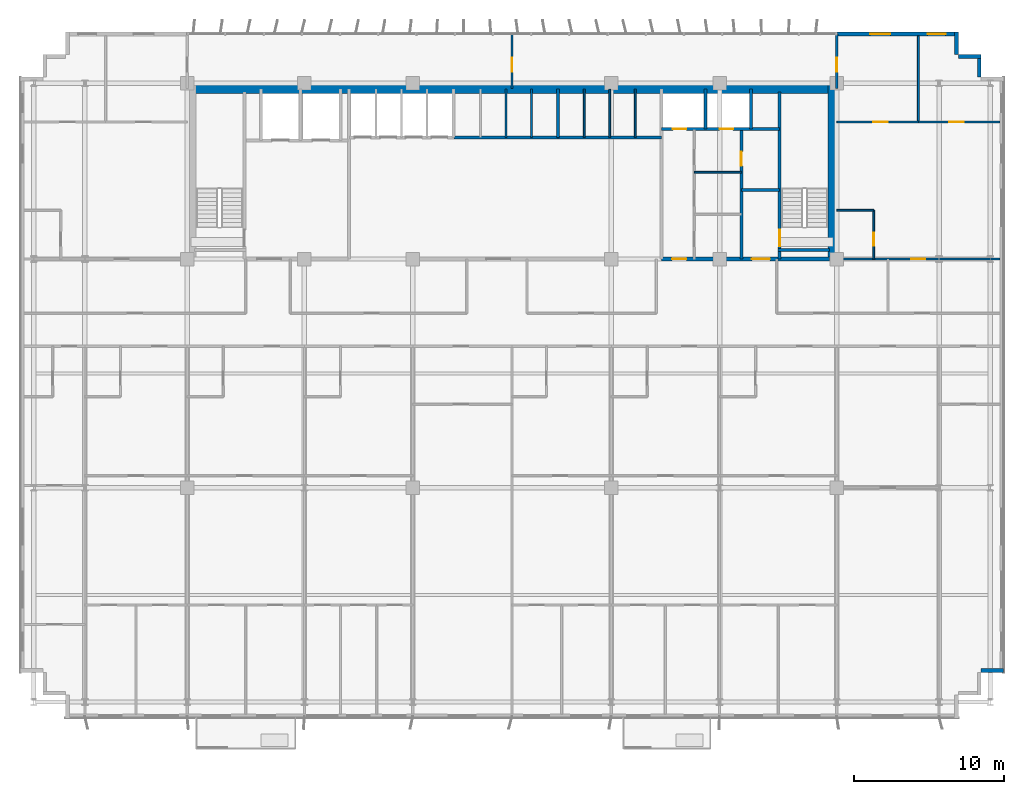
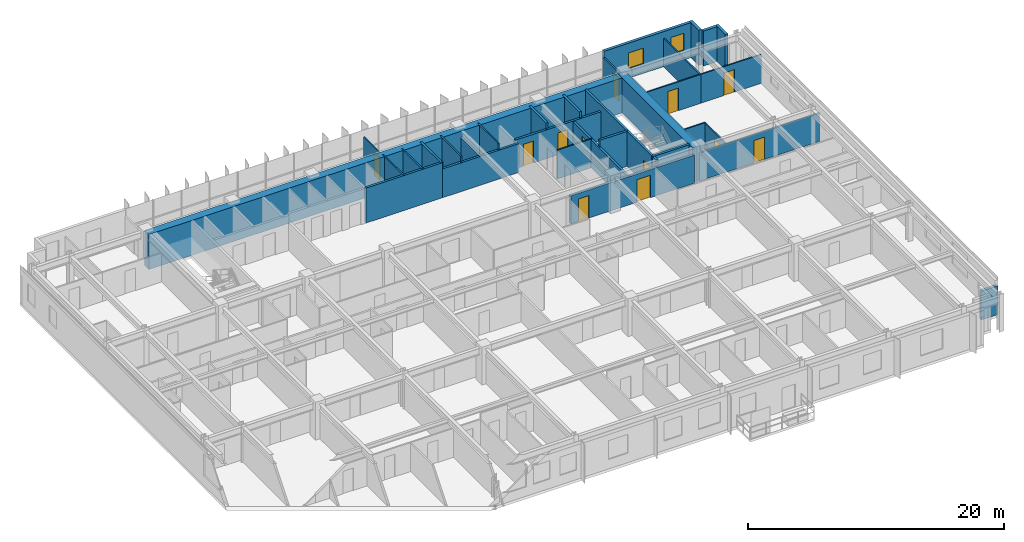
# One storey, part 20 of 24: 32 walls, 12 doors, 2 windows, 14 openings.
"""IFC4 building model written with IfcOpenShell, lengths in metres."""

from ifc_helpers import new_model, si_unit, direction, frame, frame_2d, origin, place, context, subcontext, project, spatial, rectangle, extrude, source, transform, mapped, material, layer, layer_set, type_object, element, fill, save


model = new_model("IFC4")

# Units and contexts
model_context = context("Model", 3, precision=1e-05, world=origin(), true_north=direction((0.0, 1.0)))
body_context = subcontext(model_context, "Body", "Model", "MODEL_VIEW")
ifc_project = project(units=[si_unit("LENGTHUNIT", "METRE"), si_unit("AREAUNIT", "SQUARE_METRE"), si_unit("VOLUMEUNIT", "CUBIC_METRE"), si_unit("PLANEANGLEUNIT", "RADIAN"), si_unit("MASSUNIT", "GRAM", prefix="KILO")], contexts=[model_context])

# Site, building, storey
site_placement = place(None, origin())
site = spatial("IfcSite", under=ifc_project, at=site_placement, CompositionType="ELEMENT")
building_placement = place(site_placement, origin())
building = spatial("IfcBuilding", under=site, at=building_placement, Name="Trelvane Seafront Commons", CompositionType="ELEMENT")
storey_placement = place(building_placement, frame((0.0, 0.0, 30.699951171875)))
storey = spatial("IfcBuildingStorey", under=building, at=storey_placement, Name="L07", CompositionType="ELEMENT", Elevation=30.699951171875)

# Wall, openings, windows
ifc_material_1 = material(Name="Precast concrete C40/50", Category="concrete")
ifc_layer_1 = layer(ifc_material_1, 0.260009765625, Name="ARCH-WALL-EXT260")
ifc_layer_set_1 = layer_set([ifc_layer_1], Name="Precast concrete C40/50")
wall_type_1 = type_object("IfcWallType", Name="ARCH-WALL-EXT260", PredefinedType="SOLIDWALL", material=ifc_layer_set_1)
wall_1_placement = place(storey_placement, frame((58.800048828125, 48.3701171875, 0.0), z_axis=(0.0, 0.0, 1.0), x_axis=(1.0, 0.0, 0.0)))
wall_1 = element("IfcWall", 1, at=wall_1_placement, inside=storey, type_object=wall_type_1, Name="EW-L07-NE-0088", PredefinedType="SOLIDWALL", context=body_context, shape_type="SweptSolid", body=[
    extrude(rectangle(XDim=8.0, YDim=0.260009765625, at=frame_2d((4.0, 0.0))), origin(), (0.0, 0.0, 1.0), 3.340087890625),
])
opening_1_placement = place(wall_1_placement, frame((2.208984375, 0.0, 0.89990234375)))
opening_1 = element("IfcOpeningElement", 2, at=opening_1_placement, cuts=wall_1, Name="Opening W09", PredefinedType="OPENING", context=body_context, shape_type="SweptSolid", body=[
    extrude(rectangle(XDim=1.35009765625, YDim=1.5, at=frame_2d((0.675048828125, 0.75))), frame((0.0, 0.139892578125, 0.0), z_axis=(0.0, -1.0, 0.0), x_axis=(1.0, 0.0, 0.0)), (0.0, 0.0, 1.0), 0.280029296875),
])
opening_2_placement = place(wall_1_placement, frame((6.032958984375, 0.0, 0.89990234375)))
opening_2 = element("IfcOpeningElement", 3, at=opening_2_placement, cuts=wall_1, Name="Opening W05", PredefinedType="OPENING", context=body_context, shape_type="SweptSolid", body=[
    extrude(rectangle(XDim=1.199951171875, YDim=1.64990234375, at=frame_2d((0.60009765625, 0.824951171875))), frame((0.0, 0.139892578125, 0.0), z_axis=(0.0, -1.0, 0.0), x_axis=(1.0, 0.0, 0.0)), (0.0, 0.0, 1.0), 0.280029296875),
])
ifc_material_2 = material(Name="Low-E coastal double glazing", Category="glass")
window_type_1 = type_object("IfcWindowType", Name="ARCH-WIN-W09", PartitioningType="SINGLE_PANEL", PredefinedType="WINDOW", material=ifc_material_2)
shared_shape_1 = source(origin(), body_context, "Body", "SweptSolid", [
    extrude(rectangle(XDim=1.35009765625, YDim=1.5, at=frame_2d((0.675048828125, 0.75))), frame((0.0, 0.030029296875, 0.0), z_axis=(0.0, -1.0, 0.0), x_axis=(1.0, 0.0, 0.0)), (0.0, 0.0, 1.0), 0.06005859375),
])
window_1_placement = place(opening_1_placement, origin())
window_1 = element("IfcWindow", 4, at=window_1_placement, inside=storey, type_object=window_type_1, Name="WIN-L07-00130", OverallHeight=1.5, OverallWidth=1.35009765625, PartitioningType="SINGLE_PANEL", PredefinedType="WINDOW", context=body_context, shape_type="MappedRepresentation", body=[
    mapped(shared_shape_1, transform((0.0, 0.0, 0.0), x_axis=(1.0, 0.0, 0.0), y_axis=(0.0, 1.0, 0.0), z_axis=(0.0, 0.0, 1.0), scale=1.0)),
])
fill(opening_1, window_1)
window_type_2 = type_object("IfcWindowType", Name="ARCH-WIN-W05", PartitioningType="SINGLE_PANEL", PredefinedType="WINDOW", material=ifc_material_2)
shared_shape_2 = source(origin(), body_context, "Body", "SweptSolid", [
    extrude(rectangle(XDim=1.199951171875, YDim=1.64990234375, at=frame_2d((0.60009765625, 0.824951171875))), frame((0.0, 0.030029296875, 0.0), z_axis=(0.0, -1.0, 0.0), x_axis=(1.0, 0.0, 0.0)), (0.0, 0.0, 1.0), 0.06005859375),
])
window_2_placement = place(opening_2_placement, origin())
window_2 = element("IfcWindow", 5, at=window_2_placement, inside=storey, type_object=window_type_2, Name="WIN-L07-00131", OverallHeight=1.64990234375, OverallWidth=1.199951171875, PartitioningType="SINGLE_PANEL", PredefinedType="WINDOW", context=body_context, shape_type="MappedRepresentation", body=[
    mapped(shared_shape_2, transform((0.0, 0.0, 0.0), x_axis=(1.0, 0.0, 0.0), y_axis=(0.0, 1.0, 0.0), z_axis=(0.0, 0.0, 1.0), scale=1.0)),
])
fill(opening_2, window_2)

# Walls
for number, where, z_axis, x_axis, name in (
    (6, (66.77001953125, 48.5, 0.0), (0.0, 0.0, 1.0), (0.0, -1.0, 0.0), "EW-L07-00097"),
    (7, (66.89990234375, 46.8701171875, 0.0), (0.0, 0.0, 1.0), (1.0, 0.0, 0.0), "EW-L07-00098"),
    (8, (68.27001953125, 47.0, 0.0), (0.0, 0.0, 1.0), (0.0, -1.0, 0.0), "EW-L07-00099"),
):
    element("IfcWall", number, at=place(storey_placement, frame(where, z_axis=z_axis, x_axis=x_axis)), inside=storey, type_object=wall_type_1, Name=name, PredefinedType="SOLIDWALL", context=body_context, shape_type="SweptSolid", body=[
        extrude(rectangle(XDim=1.5, YDim=0.260009765625, at=frame_2d((0.75, 0.0))), origin(), (0.0, 0.0, 1.0), 3.340087890625),
    ])
wall_2_placement = place(storey_placement, frame((69.89990234375, 6.030029296875, 0.0), z_axis=(0.0, 0.0, 1.0), x_axis=(-1.0, 0.0, 0.0)))
element("IfcWall", 9, at=wall_2_placement, inside=storey, type_object=wall_type_1, Name="EW-L07-00102", PredefinedType="SOLIDWALL", context=body_context, shape_type="SweptSolid", body=[
    extrude(rectangle(XDim=1.5, YDim=0.260009765625, at=frame_2d((0.75, 0.0))), origin(), (0.0, 0.0, 1.0), 2.751953125),
])

# Wall, opening, door
ifc_material_3 = material(Name="Concrete C40/50", Category="concrete")
ifc_layer_2 = layer(ifc_material_3, 0.199951171875, Name="ARCH-WALL-FIRE200")
ifc_layer_set_2 = layer_set([ifc_layer_2], Name="Concrete C40/50")
wall_type_2 = type_object("IfcWallType", Name="ARCH-WALL-FIRE200", PredefinedType="PARTITIONING", material=ifc_layer_set_2)
wall_3_placement = place(storey_placement, frame((52.449951171875, 33.39990234375, 0.0), z_axis=(0.0, 0.0, 1.0), x_axis=(0.0, 1.0, 0.0)))
wall_3 = element("IfcWall", 10, at=wall_3_placement, inside=storey, type_object=wall_type_2, Name="W-L07-ST2V-W-033", PredefinedType="PARTITIONING", context=body_context, shape_type="SweptSolid", body=[
    extrude(rectangle(XDim=8.650146484375, YDim=0.199951171875, at=frame_2d((4.3251953125, 0.0))), origin(), (0.0, 0.0, 1.0), 2.68994140625),
])
opening_3_placement = place(wall_3_placement, frame((6.199951171875, 0.0, 0.0)))
opening_3 = element("IfcOpeningElement", 11, at=opening_3_placement, cuts=wall_3, Name="Opening FD-L07-13", PredefinedType="OPENING", context=body_context, shape_type="SweptSolid", body=[
    extrude(rectangle(XDim=0.949951171875, YDim=2.14990234375, at=frame_2d((0.47509765625, 1.074951171875))), frame((0.0, 0.10986328125, 0.0), z_axis=(0.0, -1.0, 0.0), x_axis=(1.0, 0.0, 0.0)), (0.0, 0.0, 1.0), 0.219970703125),
])
ifc_material_4 = material(Name="Powder-coated aluminium frame", Category="aluminium")
door_type_1 = type_object("IfcDoorType", Name="ARCH-DR-FD60-950", OperationType="NOTDEFINED", PredefinedType="DOOR", material=ifc_material_4)
shared_shape_3 = source(origin(), body_context, "Body", "SweptSolid", [
    extrude(rectangle(XDim=0.949951171875, YDim=2.14990234375, at=frame_2d((0.47509765625, 1.074951171875))), frame((0.0, 0.02490234375, 0.0), z_axis=(0.0, -1.0, 0.0), x_axis=(1.0, 0.0, 0.0)), (0.0, 0.0, 1.0), 0.050048828125),
])
door_1_placement = place(opening_3_placement, origin())
door_1 = element("IfcDoor", 12, at=door_1_placement, inside=storey, type_object=door_type_1, Name="L07 Cleaner Store Door", OperationType="SINGLE_SWING_LEFT", OverallHeight=2.14990234375, OverallWidth=0.949951171875, PredefinedType="DOOR", context=body_context, shape_type="MappedRepresentation", body=[
    mapped(shared_shape_3, transform((0.0, 0.0, 0.0), x_axis=(1.0, 0.0, 0.0), y_axis=(0.0, 1.0, 0.0), z_axis=(0.0, 0.0, 1.0), scale=1.0)),
])
fill(opening_3, door_1)

# Wall
wall_4_placement = place(storey_placement, frame((52.449951171875, 38.0, 0.0), z_axis=(0.0, 0.0, 1.0), x_axis=(1.0, 0.0, 0.0)))
element("IfcWall", 13, at=wall_4_placement, inside=storey, type_object=wall_type_2, Name="W-L07-ST2V-N-034", PredefinedType="PARTITIONING", context=body_context, shape_type="SweptSolid", body=[
    extrude(rectangle(XDim=2.550048828125, YDim=0.199951171875, at=frame_2d((1.27490234375, 0.0))), origin(), (0.0, 0.0, 1.0), 3.340087890625),
])

# Wall, openings, doors
ifc_layer_3 = layer(ifc_material_3, 0.25, Name="ARCH-WALL-FIRE250")
ifc_layer_set_3 = layer_set([ifc_layer_3], Name="Concrete C40/50")
wall_type_3 = type_object("IfcWallType", Name="ARCH-WALL-FIRE250", PredefinedType="PARTITIONING", material=ifc_layer_set_3)
wall_5_placement = place(storey_placement, frame((47.14990234375, 33.39990234375, 0.0), z_axis=(0.0, 0.0, 1.0), x_axis=(1.0, 0.0, 0.0)))
wall_5 = element("IfcWall", 14, at=wall_5_placement, inside=storey, type_object=wall_type_3, Name="W-L07-CS-EAST-038", PredefinedType="PARTITIONING", context=body_context, shape_type="SweptSolid", body=[
    extrude(rectangle(XDim=11.150146484375, YDim=0.25, at=frame_2d((5.5751953125, 0.0))), origin(), (0.0, 0.0, 1.0), 2.68994140625),
])
opening_4_placement = place(wall_5_placement, frame((0.699951171875, 0.0, 0.0)))
opening_4 = element("IfcOpeningElement", 15, at=opening_4_placement, cuts=wall_5, Name="Opening FD-L07-17", PredefinedType="OPENING", context=body_context, shape_type="SweptSolid", body=[
    extrude(rectangle(XDim=0.949951171875, YDim=2.14990234375, at=frame_2d((0.47509765625, 1.074951171875))), frame((0.0, 0.135009765625, 0.0), z_axis=(0.0, -1.0, 0.0), x_axis=(1.0, 0.0, 0.0)), (0.0, 0.0, 1.0), 0.27001953125),
])
opening_5_placement = place(wall_5_placement, frame((6.0, 0.0, 0.0)))
opening_5 = element("IfcOpeningElement", 16, at=opening_5_placement, cuts=wall_5, Name="Opening FD-L07-18", PredefinedType="OPENING", context=body_context, shape_type="SweptSolid", body=[
    extrude(rectangle(XDim=1.199951171875, YDim=2.14990234375, at=frame_2d((0.60009765625, 1.074951171875))), frame((0.0, 0.135009765625, 0.0), z_axis=(0.0, -1.0, 0.0), x_axis=(1.0, 0.0, 0.0)), (0.0, 0.0, 1.0), 0.27001953125),
])
door_2_placement = place(opening_4_placement, origin())
door_2 = element("IfcDoor", 17, at=door_2_placement, inside=storey, type_object=door_type_1, Name="L07 Core Service Lobby Door", OperationType="SINGLE_SWING_LEFT", OverallHeight=2.14990234375, OverallWidth=0.949951171875, PredefinedType="DOOR", context=body_context, shape_type="MappedRepresentation", body=[
    mapped(shared_shape_3, transform((0.0, 0.0, 0.0), x_axis=(1.0, 0.0, 0.0), y_axis=(0.0, 1.0, 0.0), z_axis=(0.0, 0.0, 1.0), scale=1.0)),
])
fill(opening_4, door_2)
door_type_2 = type_object("IfcDoorType", Name="ARCH-DR-FD60-1200", OperationType="NOTDEFINED", PredefinedType="DOOR", material=ifc_material_4)
shared_shape_4 = source(origin(), body_context, "Body", "SweptSolid", [
    extrude(rectangle(XDim=1.199951171875, YDim=2.14990234375, at=frame_2d((0.60009765625, 1.074951171875))), frame((0.0, 0.02490234375, 0.0), z_axis=(0.0, -1.0, 0.0), x_axis=(1.0, 0.0, 0.0)), (0.0, 0.0, 1.0), 0.050048828125),
])
door_3_placement = place(opening_5_placement, origin())
door_3 = element("IfcDoor", 18, at=door_3_placement, inside=storey, type_object=door_type_2, Name="L07 East Stair Vestibule Fire Door", OperationType="SINGLE_SWING_RIGHT", OverallHeight=2.14990234375, OverallWidth=1.199951171875, PredefinedType="DOOR", context=body_context, shape_type="MappedRepresentation", body=[
    mapped(shared_shape_4, transform((0.0, 0.0, 0.0), x_axis=(1.0, 0.0, 0.0), y_axis=(0.0, 1.0, 0.0), z_axis=(0.0, 0.0, 1.0), scale=1.0)),
])
fill(opening_5, door_3)

# Walls
ifc_material_5 = material(Name="Gypsum Drywall Acoustic Partition")
ifc_layer_4 = layer(ifc_material_5, 0.1201171875, Name="ARCH-WALL-PART120")
ifc_layer_set_4 = layer_set([ifc_layer_4], Name="Gypsum Drywall Acoustic Partition")
wall_type_4 = type_object("IfcWallType", Name="ARCH-WALL-PART120", PredefinedType="PARTITIONING", material=ifc_layer_set_4)
for number, where, z_axis, x_axis, name in (
    (19, (36.800048828125, 41.5, 0.0), (0.0, 0.0, 1.0), (0.0, 1.0, 0.0), "W-L07-PM-DIV2-021"),
    (20, (38.5, 41.5, 0.0), (0.0, 0.0, 1.0), (0.0, 1.0, 0.0), "W-L07-PM-DIV3-022"),
    (21, (42.0, 41.5, 0.0), (0.0, 0.0, 1.0), (0.0, 1.0, 0.0), "W-L07-PH-DIV1-025"),
):
    element("IfcWall", number, at=place(storey_placement, frame(where, z_axis=z_axis, x_axis=x_axis)), inside=storey, type_object=wall_type_4, Name=name, PredefinedType="PARTITIONING", context=body_context, shape_type="SweptSolid", body=[
        extrude(rectangle(XDim=3.199951171875, YDim=0.1201171875, at=frame_2d((1.60009765625, 0.0))), origin(), (0.0, 0.0, 1.0), 3.340087890625),
    ])
wall_6_placement = place(storey_placement, frame((43.699951171875, 41.5, 0.0), z_axis=(0.0, 0.0, 1.0), x_axis=(0.0, 1.0, 0.0)))
element("IfcWall", 22, at=wall_6_placement, inside=storey, type_object=wall_type_4, Name="W-L07-PH-DIV2-026", PredefinedType="PARTITIONING", context=body_context, shape_type="SweptSolid", body=[
    extrude(rectangle(XDim=3.199951171875, YDim=0.1201171875, at=frame_2d((1.60009765625, 0.0))), origin(), (0.0, 0.0, 1.0), 2.751953125),
])
wall_7_placement = place(storey_placement, frame((45.39990234375, 41.5, 0.0), z_axis=(0.0, 0.0, 1.0), x_axis=(0.0, 1.0, 0.0)))
element("IfcWall", 23, at=wall_7_placement, inside=storey, type_object=wall_type_4, Name="W-L07-PH-DIV3-027", PredefinedType="PARTITIONING", context=body_context, shape_type="SweptSolid", body=[
    extrude(rectangle(XDim=3.199951171875, YDim=0.1201171875, at=frame_2d((1.60009765625, 0.0))), origin(), (0.0, 0.0, 1.0), 3.340087890625),
])
wall_8_placement = place(storey_placement, frame((49.320068359375, 39.179931640625, 0.0), z_axis=(0.0, 0.0, 1.0), x_axis=(1.0, 0.0, 0.0)))
element("IfcWall", 24, at=wall_8_placement, inside=storey, type_object=wall_type_4, Name="W-L07-CYC3-H2-037", PredefinedType="PARTITIONING", context=body_context, shape_type="SweptSolid", body=[
    extrude(rectangle(XDim=3.1298828125, YDim=0.1201171875, at=frame_2d((1.56494140625, 0.0))), origin(), (0.0, 0.0, 1.0), 2.751953125),
])

# Wall, opening, door
wall_9_placement = place(storey_placement, frame((61.25, 33.39990234375, 0.0), z_axis=(0.0, 0.0, 1.0), x_axis=(0.0, 1.0, 0.0)))
wall_9 = element("IfcWall", 25, at=wall_9_placement, inside=storey, type_object=wall_type_4, Name="W-L07-NE-BE-056", PredefinedType="PARTITIONING", context=body_context, shape_type="SweptSolid", body=[
    extrude(rectangle(XDim=3.25, YDim=0.1201171875, at=frame_2d((1.625, 0.0))), origin(), (0.0, 0.0, 1.0), 2.68994140625),
])
opening_6_placement = place(wall_9_placement, frame((0.89990234375, 0.0, 0.0)))
opening_6 = element("IfcOpeningElement", 26, at=opening_6_placement, cuts=wall_9, Name="Opening D-L07-28", PredefinedType="OPENING", context=body_context, shape_type="SweptSolid", body=[
    extrude(rectangle(XDim=0.85009765625, YDim=2.10009765625, at=frame_2d((0.425048828125, 1.050048828125))), frame((0.0, 0.070068359375, 0.0), z_axis=(0.0, -1.0, 0.0), x_axis=(1.0, 0.0, 0.0)), (0.0, 0.0, 1.0), 0.14013671875),
])
ifc_material_6 = material(Name="Acoustic timber door leaf", Category="wood")
door_type_3 = type_object("IfcDoorType", Name="ARCH-DR-INT850", OperationType="NOTDEFINED", PredefinedType="DOOR", material=ifc_material_6)
shared_shape_5 = source(origin(), body_context, "Body", "SweptSolid", [
    extrude(rectangle(XDim=0.85009765625, YDim=2.10009765625, at=frame_2d((0.425048828125, 1.050048828125))), frame((0.0, 0.02490234375, 0.0), z_axis=(0.0, -1.0, 0.0), x_axis=(1.0, 0.0, 0.0)), (0.0, 0.0, 1.0), 0.050048828125),
])
door_4_placement = place(opening_6_placement, origin())
door_4 = element("IfcDoor", 27, at=door_4_placement, inside=storey, type_object=door_type_3, Name="L07 Door 28", OperationType="SINGLE_SWING_RIGHT", OverallHeight=2.10009765625, OverallWidth=0.85009765625, PredefinedType="DOOR", context=body_context, shape_type="MappedRepresentation", body=[
    mapped(shared_shape_5, transform((0.0, 0.0, 0.0), x_axis=(1.0, 0.0, 0.0), y_axis=(0.0, 1.0, 0.0), z_axis=(0.0, 0.0, 1.0), scale=1.0)),
])
fill(opening_6, door_4)

# Wall
wall_10_placement = place(storey_placement, frame((58.800048828125, 36.64990234375, 0.0), z_axis=(0.0, 0.0, 1.0), x_axis=(1.0, 0.0, 0.0)))
element("IfcWall", 28, at=wall_10_placement, inside=storey, type_object=wall_type_4, Name="W-L07-NE-BN-057", PredefinedType="PARTITIONING", context=body_context, shape_type="SweptSolid", body=[
    extrude(rectangle(XDim=2.449951171875, YDim=0.1201171875, at=frame_2d((1.22509765625, 0.0))), origin(), (0.0, 0.0, 1.0), 2.751953125),
])

# Wall, opening, door
wall_11_placement = place(storey_placement, frame((58.800048828125, 42.52001953125, 0.0), z_axis=(0.0, 0.0, 1.0), x_axis=(1.0, 0.0, 0.0)))
wall_11 = element("IfcWall", 29, at=wall_11_placement, inside=storey, type_object=wall_type_4, Name="W-L07-NE-KB1-058", PredefinedType="PARTITIONING", context=body_context, shape_type="SweptSolid", body=[
    extrude(rectangle(XDim=5.425048828125, YDim=0.1201171875, at=frame_2d((2.71240234375, 0.0))), origin(), (0.0, 0.0, 1.0), 2.751953125),
])
opening_7_placement = place(wall_11_placement, frame((2.423095703125, 0.0, 0.0)))
opening_7 = element("IfcOpeningElement", 30, at=opening_7_placement, cuts=wall_11, Name="Opening D-L07-29", PredefinedType="OPENING", context=body_context, shape_type="SweptSolid", body=[
    extrude(rectangle(XDim=0.949951171875, YDim=2.14990234375, at=frame_2d((0.47509765625, 1.074951171875))), frame((0.0, 0.070068359375, 0.0), z_axis=(0.0, -1.0, 0.0), x_axis=(1.0, 0.0, 0.0)), (0.0, 0.0, 1.0), 0.14013671875),
])
door_type_4 = type_object("IfcDoorType", Name="ARCH-DR-INT950", OperationType="NOTDEFINED", PredefinedType="DOOR", material=ifc_material_6)
door_5_placement = place(opening_7_placement, origin())
door_5 = element("IfcDoor", 31, at=door_5_placement, inside=storey, type_object=door_type_4, Name="L07 Door 29", OperationType="SINGLE_SWING_LEFT", OverallHeight=2.14990234375, OverallWidth=0.949951171875, PredefinedType="DOOR", context=body_context, shape_type="MappedRepresentation", body=[
    mapped(shared_shape_3, transform((0.0, 0.0, 0.0), x_axis=(1.0, 0.0, 0.0), y_axis=(0.0, 1.0, 0.0), z_axis=(0.0, 0.0, 1.0), scale=1.0)),
])
fill(opening_7, door_5)

wall_12_placement = place(storey_placement, frame((64.22509765625, 42.52001953125, 0.0), z_axis=(0.0, 0.0, 1.0), x_axis=(1.0, 0.0, 0.0)))
wall_12 = element("IfcWall", 32, at=wall_12_placement, inside=storey, type_object=wall_type_4, Name="W-L07-NE-KB2-059", PredefinedType="PARTITIONING", context=body_context, shape_type="SweptSolid", body=[
    extrude(rectangle(XDim=5.4248046875, YDim=0.1201171875, at=frame_2d((2.71240234375, 0.0))), origin(), (0.0, 0.0, 1.0), 2.751953125),
])
opening_8_placement = place(wall_12_placement, frame((2.052001953125, 0.0, 0.0)))
opening_8 = element("IfcOpeningElement", 33, at=opening_8_placement, cuts=wall_12, Name="Opening D-L07-30", PredefinedType="OPENING", context=body_context, shape_type="SweptSolid", body=[
    extrude(rectangle(XDim=0.949951171875, YDim=2.14990234375, at=frame_2d((0.47509765625, 1.074951171875))), frame((0.0, 0.070068359375, 0.0), z_axis=(0.0, -1.0, 0.0), x_axis=(1.0, 0.0, 0.0)), (0.0, 0.0, 1.0), 0.14013671875),
])
door_6_placement = place(opening_8_placement, origin())
door_6 = element("IfcDoor", 34, at=door_6_placement, inside=storey, type_object=door_type_4, Name="L07 Door 30", OperationType="SINGLE_SWING_RIGHT", OverallHeight=2.14990234375, OverallWidth=0.949951171875, PredefinedType="DOOR", context=body_context, shape_type="MappedRepresentation", body=[
    mapped(shared_shape_3, transform((0.0, 0.0, 0.0), x_axis=(1.0, 0.0, 0.0), y_axis=(0.0, 1.0, 0.0), z_axis=(0.0, 0.0, 1.0), scale=1.0)),
])
fill(opening_8, door_6)

# Wall
wall_13_placement = place(storey_placement, frame((64.22509765625, 42.52001953125, 0.0), z_axis=(0.0, 0.0, 1.0), x_axis=(0.0, 1.0, 0.0)))
element("IfcWall", 35, at=wall_13_placement, inside=storey, type_object=wall_type_4, Name="W-L07-NE-KBDV-060", PredefinedType="PARTITIONING", context=body_context, shape_type="SweptSolid", body=[
    extrude(rectangle(XDim=5.719970703125, YDim=0.1201171875, at=frame_2d((2.85986328125, 0.0))), origin(), (0.0, 0.0, 1.0), 2.68994140625),
])

# Wall, opening, door
wall_14_placement = place(storey_placement, frame((37.199951171875, 44.75, 0.0), z_axis=(0.0, 0.0, 1.0), x_axis=(0.0, 1.0, 0.0)))
wall_14 = element("IfcWall", 36, at=wall_14_placement, inside=storey, type_object=wall_type_4, Name="W-L07-N-MID-DV-062", PredefinedType="PARTITIONING", context=body_context, shape_type="SweptSolid", body=[
    extrude(rectangle(XDim=3.610107421875, YDim=0.1201171875, at=frame_2d((1.80517578125, 0.0))), origin(), (0.0, 0.0, 1.0), 2.68994140625),
])
opening_9_placement = place(wall_14_placement, frame((1.10009765625, 0.0, 0.0)))
opening_9 = element("IfcOpeningElement", 37, at=opening_9_placement, cuts=wall_14, Name="Opening D-L07-32", PredefinedType="OPENING", context=body_context, shape_type="SweptSolid", body=[
    extrude(rectangle(XDim=0.949951171875, YDim=2.14990234375, at=frame_2d((0.47509765625, 1.074951171875))), frame((0.0, 0.070068359375, 0.0), z_axis=(0.0, -1.0, 0.0), x_axis=(1.0, 0.0, 0.0)), (0.0, 0.0, 1.0), 0.14013671875),
])
door_7_placement = place(opening_9_placement, origin())
door_7 = element("IfcDoor", 38, at=door_7_placement, inside=storey, type_object=door_type_4, Name="L07 Door 32", OperationType="SINGLE_SWING_RIGHT", OverallHeight=2.14990234375, OverallWidth=0.949951171875, PredefinedType="DOOR", context=body_context, shape_type="MappedRepresentation", body=[
    mapped(shared_shape_3, transform((0.0, 0.0, 0.0), x_axis=(1.0, 0.0, 0.0), y_axis=(0.0, 1.0, 0.0), z_axis=(0.0, 0.0, 1.0), scale=1.0)),
])
fill(opening_9, door_7)

ifc_layer_5 = layer(ifc_material_5, 0.14990234375, Name="ARCH-WALL-PART150")
ifc_layer_set_5 = layer_set([ifc_layer_5], Name="Gypsum Drywall Acoustic Partition")
wall_type_5 = type_object("IfcWallType", Name="ARCH-WALL-PART150", PredefinedType="PARTITIONING", material=ifc_layer_set_5)
wall_15_placement = place(storey_placement, frame((58.800048828125, 33.39990234375, 0.0), z_axis=(0.0, 0.0, 1.0), x_axis=(1.0, 0.0, 0.0)))
wall_15 = element("IfcWall", 39, at=wall_15_placement, inside=storey, type_object=wall_type_5, Name="W-L07-NE-ENT-061", PredefinedType="PARTITIONING", context=body_context, shape_type="SweptSolid", body=[
    extrude(rectangle(XDim=10.849853515625, YDim=0.14990234375, at=frame_2d((5.4248046875, 0.0))), origin(), (0.0, 0.0, 1.0), 2.68994140625),
])
opening_10_placement = place(wall_15_placement, frame((4.93310546875, 0.0, 0.0)))
opening_10 = element("IfcOpeningElement", 40, at=opening_10_placement, cuts=wall_15, Name="Opening FD-L07-31", PredefinedType="OPENING", context=body_context, shape_type="SweptSolid", body=[
    extrude(rectangle(XDim=0.949951171875, YDim=2.14990234375, at=frame_2d((0.47509765625, 1.074951171875))), frame((0.0, 0.0849609375, 0.0), z_axis=(0.0, -1.0, 0.0), x_axis=(1.0, 0.0, 0.0)), (0.0, 0.0, 1.0), 0.169921875),
])
door_8_placement = place(opening_10_placement, origin())
door_8 = element("IfcDoor", 41, at=door_8_placement, inside=storey, type_object=door_type_1, Name="L07 NE Flat Entrance Door", OperationType="SINGLE_SWING_LEFT", OverallHeight=2.14990234375, OverallWidth=0.949951171875, PredefinedType="DOOR", context=body_context, shape_type="MappedRepresentation", body=[
    mapped(shared_shape_3, transform((0.0, 0.0, 0.0), x_axis=(1.0, 0.0, 0.0), y_axis=(0.0, 1.0, 0.0), z_axis=(0.0, 0.0, 1.0), scale=1.0)),
])
fill(opening_10, door_8)

wall_16_placement = place(storey_placement, frame((58.800048828125, 44.75, 0.0), z_axis=(0.0, 0.0, 1.0), x_axis=(0.0, 1.0, 0.0)))
wall_16 = element("IfcWall", 42, at=wall_16_placement, inside=storey, type_object=wall_type_5, Name="W-L07-N-LINK-E-064", PredefinedType="PARTITIONING", context=body_context, shape_type="SweptSolid", body=[
    extrude(rectangle(XDim=3.610107421875, YDim=0.14990234375, at=frame_2d((1.80517578125, 0.0))), origin(), (0.0, 0.0, 1.0), 2.751953125),
])
opening_11_placement = place(wall_16_placement, frame((1.10009765625, 0.0, 0.0)))
opening_11 = element("IfcOpeningElement", 43, at=opening_11_placement, cuts=wall_16, Name="Opening FD-L07-34", PredefinedType="OPENING", context=body_context, shape_type="SweptSolid", body=[
    extrude(rectangle(XDim=0.949951171875, YDim=2.14990234375, at=frame_2d((0.47509765625, 1.074951171875))), frame((0.0, 0.0849609375, 0.0), z_axis=(0.0, -1.0, 0.0), x_axis=(1.0, 0.0, 0.0)), (0.0, 0.0, 1.0), 0.169921875),
])
door_9_placement = place(opening_11_placement, origin())
door_9 = element("IfcDoor", 44, at=door_9_placement, inside=storey, type_object=door_type_1, Name="L07 Door 34", OperationType="SINGLE_SWING_RIGHT", OverallHeight=2.14990234375, OverallWidth=0.949951171875, PredefinedType="DOOR", context=body_context, shape_type="MappedRepresentation", body=[
    mapped(shared_shape_3, transform((0.0, 0.0, 0.0), x_axis=(1.0, 0.0, 0.0), y_axis=(0.0, 1.0, 0.0), z_axis=(0.0, 0.0, 1.0), scale=1.0)),
])
fill(opening_11, door_9)

# Walls
ifc_layer_6 = layer(ifc_material_3, 0.199951171875, Name="ARCH-WALL-SHAFT200")
ifc_layer_set_6 = layer_set([ifc_layer_6], Name="Concrete C40/50")
wall_type_6 = type_object("IfcWallType", Name="ARCH-WALL-SHAFT200", PredefinedType="SOLIDWALL", material=ifc_layer_set_6)
wall_17_placement = place(storey_placement, frame((33.35009765625, 41.5, 0.0), z_axis=(0.0, 0.0, 1.0), x_axis=(1.0, 0.0, 0.0)))
element("IfcWall", 45, at=wall_17_placement, inside=storey, type_object=wall_type_6, Name="W-L07-PM-FRONT-019", PredefinedType="SOLIDWALL", context=body_context, shape_type="SweptSolid", body=[
    extrude(rectangle(XDim=6.89990234375, YDim=0.199951171875, at=frame_2d((3.449951171875, 0.0))), origin(), (0.0, 0.0, 1.0), 3.340087890625),
])
wall_18_placement = place(storey_placement, frame((40.25, 41.5, 0.0), z_axis=(0.0, 0.0, 1.0), x_axis=(1.0, 0.0, 0.0)))
element("IfcWall", 46, at=wall_18_placement, inside=storey, type_object=wall_type_6, Name="W-L07-PH-FRONT-023", PredefinedType="SOLIDWALL", context=body_context, shape_type="SweptSolid", body=[
    extrude(rectangle(XDim=6.89990234375, YDim=0.199951171875, at=frame_2d((3.449951171875, 0.0))), origin(), (0.0, 0.0, 1.0), 2.751953125),
])
wall_19_placement = place(storey_placement, frame((40.25, 41.5, 0.0), z_axis=(0.0, 0.0, 1.0), x_axis=(0.0, 1.0, 0.0)))
element("IfcWall", 47, at=wall_19_placement, inside=storey, type_object=wall_type_6, Name="W-L07-PH-WEST-SH-024", PredefinedType="SOLIDWALL", context=body_context, shape_type="SweptSolid", body=[
    extrude(rectangle(XDim=3.199951171875, YDim=0.199951171875, at=frame_2d((1.60009765625, 0.0))), origin(), (0.0, 0.0, 1.0), 3.340087890625),
])

# Wall, openings, doors
wall_20_placement = place(storey_placement, frame((47.14990234375, 42.050048828125, 0.0), z_axis=(0.0, 0.0, 1.0), x_axis=(1.0, 0.0, 0.0)))
wall_20 = element("IfcWall", 48, at=wall_20_placement, inside=storey, type_object=wall_type_6, Name="W-L07-RSR-S-030", PredefinedType="SOLIDWALL", context=body_context, shape_type="SweptSolid", body=[
    extrude(rectangle(XDim=7.85009765625, YDim=0.199951171875, at=frame_2d((3.925048828125, 0.0))), origin(), (0.0, 0.0, 1.0), 2.751953125),
])
opening_12_placement = place(wall_20_placement, frame((0.75, 0.0, 0.0)))
opening_12 = element("IfcOpeningElement", 49, at=opening_12_placement, cuts=wall_20, Name="Opening FD-L07-11", PredefinedType="OPENING", context=body_context, shape_type="SweptSolid", body=[
    extrude(rectangle(XDim=0.89990234375, YDim=2.10009765625, at=frame_2d((0.449951171875, 1.050048828125))), frame((0.0, 0.10986328125, 0.0), z_axis=(0.0, -1.0, 0.0), x_axis=(1.0, 0.0, 0.0)), (0.0, 0.0, 1.0), 0.219970703125),
])
opening_13_placement = place(wall_20_placement, frame((3.85009765625, 0.0, 0.0)))
opening_13 = element("IfcOpeningElement", 50, at=opening_13_placement, cuts=wall_20, Name="Opening FD-L07-12", PredefinedType="OPENING", context=body_context, shape_type="SweptSolid", body=[
    extrude(rectangle(XDim=0.89990234375, YDim=2.10009765625, at=frame_2d((0.449951171875, 1.050048828125))), frame((0.0, 0.10986328125, 0.0), z_axis=(0.0, -1.0, 0.0), x_axis=(1.0, 0.0, 0.0)), (0.0, 0.0, 1.0), 0.219970703125),
])
door_type_5 = type_object("IfcDoorType", Name="ARCH-DR-FD60-900", OperationType="NOTDEFINED", PredefinedType="DOOR", material=ifc_material_4)
shared_shape_6 = source(origin(), body_context, "Body", "SweptSolid", [
    extrude(rectangle(XDim=0.89990234375, YDim=2.10009765625, at=frame_2d((0.449951171875, 1.050048828125))), frame((0.0, 0.02490234375, 0.0), z_axis=(0.0, -1.0, 0.0), x_axis=(1.0, 0.0, 0.0)), (0.0, 0.0, 1.0), 0.050048828125),
])
door_10_placement = place(opening_12_placement, origin())
door_10 = element("IfcDoor", 51, at=door_10_placement, inside=storey, type_object=door_type_5, Name="L07 Electrical Riser Access Door", OperationType="SINGLE_SWING_LEFT", OverallHeight=2.10009765625, OverallWidth=0.89990234375, PredefinedType="DOOR", context=body_context, shape_type="MappedRepresentation", body=[
    mapped(shared_shape_6, transform((0.0, 0.0, 0.0), x_axis=(1.0, 0.0, 0.0), y_axis=(0.0, 1.0, 0.0), z_axis=(0.0, 0.0, 1.0), scale=1.0)),
])
fill(opening_12, door_10)
door_11_placement = place(opening_13_placement, origin())
door_11 = element("IfcDoor", 52, at=door_11_placement, inside=storey, type_object=door_type_5, Name="L07 Mechanical Riser Access Door", OperationType="SINGLE_SWING_RIGHT", OverallHeight=2.10009765625, OverallWidth=0.89990234375, PredefinedType="DOOR", context=body_context, shape_type="MappedRepresentation", body=[
    mapped(shared_shape_6, transform((0.0, 0.0, 0.0), x_axis=(1.0, 0.0, 0.0), y_axis=(0.0, 1.0, 0.0), z_axis=(0.0, 0.0, 1.0), scale=1.0)),
])
fill(opening_13, door_11)

# Walls
for number, where, z_axis, x_axis, name in (
    (53, (50.080078125, 42.050048828125, 0.0), (0.0, 0.0, 1.0), (0.0, 1.0, 0.0), "W-L07-RSR-DIV-031"),
    (54, (53.10009765625, 42.050048828125, 0.0), (0.0, 0.0, 1.0), (0.0, 1.0, 0.0), "W-L07-RSR-E-032"),
):
    element("IfcWall", number, at=place(storey_placement, frame(where, z_axis=z_axis, x_axis=x_axis)), inside=storey, type_object=wall_type_6, Name=name, PredefinedType="SOLIDWALL", context=body_context, shape_type="SweptSolid", body=[
        extrude(rectangle(XDim=2.64990234375, YDim=0.199951171875, at=frame_2d((1.324951171875, 0.0))), origin(), (0.0, 0.0, 1.0), 3.340087890625),
    ])
ifc_material_7 = material(Name="Concrete C60/75", Category="concrete")
ifc_layer_7 = layer(ifc_material_7, 0.699951171875, Name="STR-WALL-CORE700")
ifc_layer_set_7 = layer_set([ifc_layer_7], Name="Concrete C60/75")
wall_type_7 = type_object("IfcWallType", Name="STR-WALL-CORE700", PredefinedType="SHEAR", material=ifc_layer_set_7)
wall_21_placement = place(storey_placement, frame((15.5, 44.75, 0.0), z_axis=(0.0, 0.0, 1.0), x_axis=(1.0, 0.0, 0.0)))
element("IfcWall", 55, at=wall_21_placement, inside=storey, type_object=wall_type_7, Name="W-L07-CN-ALL-001", PredefinedType="SHEAR", context=body_context, shape_type="SweptSolid", body=[
    extrude(rectangle(XDim=43.39990234375, YDim=0.699951171875, at=frame_2d((21.699951171875, 0.0))), origin(), (0.0, 0.0, 1.0), 3.340087890625),
])
wall_22_placement = place(storey_placement, frame((58.550048828125, 33.39990234375, 0.0), z_axis=(0.0, 0.0, 1.0), x_axis=(0.0, 1.0, 0.0)))
element("IfcWall", 56, at=wall_22_placement, inside=storey, type_object=wall_type_7, Name="W-L07-CE-END-003", PredefinedType="SHEAR", context=body_context, shape_type="SweptSolid", body=[
    extrude(rectangle(XDim=11.7001953125, YDim=0.699951171875, at=frame_2d((5.85009765625, 0.0))), origin(), (0.0, 0.0, 1.0), 3.340087890625),
])
ifc_material_8 = material(Name="Concrete C50/60", Category="concrete")
ifc_layer_8 = layer(ifc_material_8, 0.199951171875, Name="STR-WALL-STAIR200")
ifc_layer_set_8 = layer_set([ifc_layer_8], Name="Concrete C50/60")
wall_type_8 = type_object("IfcWallType", Name="STR-WALL-STAIR200", PredefinedType="SHEAR", material=ifc_layer_set_8)
wall_23_placement = place(storey_placement, frame((54.89990234375, 34.0, 0.0), z_axis=(0.0, 0.0, 1.0), x_axis=(1.0, 0.0, 0.0)))
element("IfcWall", 57, at=wall_23_placement, inside=storey, type_object=wall_type_8, Name="W-L07-ST2-S-006", PredefinedType="SHEAR", context=body_context, shape_type="SweptSolid", body=[
    extrude(rectangle(XDim=3.400146484375, YDim=0.199951171875, at=frame_2d((1.7001953125, 0.0))), origin(), (0.0, 0.0, 1.0), 3.340087890625),
])

# Wall, opening, door
wall_24_placement = place(storey_placement, frame((55.0, 33.39990234375, 0.0), z_axis=(0.0, 0.0, 1.0), x_axis=(0.0, 1.0, 0.0)))
wall_24 = element("IfcWall", 58, at=wall_24_placement, inside=storey, type_object=wall_type_8, Name="W-L07-ST2-W-007", PredefinedType="SHEAR", context=body_context, shape_type="SweptSolid", body=[
    extrude(rectangle(XDim=11.10009765625, YDim=0.199951171875, at=frame_2d((5.550048828125, 0.0))), origin(), (0.0, 0.0, 1.0), 3.340087890625),
])
opening_14_placement = place(wall_24_placement, frame((0.85009765625, 0.0, 0.0)))
opening_14 = element("IfcOpeningElement", 59, at=opening_14_placement, cuts=wall_24, Name="Opening ST-D2-L07", PredefinedType="OPENING", context=body_context, shape_type="SweptSolid", body=[
    extrude(rectangle(XDim=1.10009765625, YDim=2.14990234375, at=frame_2d((0.550048828125, 1.074951171875))), frame((0.0, 0.10986328125, 0.0), z_axis=(0.0, -1.0, 0.0), x_axis=(1.0, 0.0, 0.0)), (0.0, 0.0, 1.0), 0.219970703125),
])
door_type_6 = type_object("IfcDoorType", Name="ARCH-DR-FD90-1100", OperationType="NOTDEFINED", PredefinedType="DOOR", material=ifc_material_4)
shared_shape_7 = source(origin(), body_context, "Body", "SweptSolid", [
    extrude(rectangle(XDim=1.10009765625, YDim=2.14990234375, at=frame_2d((0.550048828125, 1.074951171875))), frame((0.0, 0.02490234375, 0.0), z_axis=(0.0, -1.0, 0.0), x_axis=(1.0, 0.0, 0.0)), (0.0, 0.0, 1.0), 0.050048828125),
])
door_12_placement = place(opening_14_placement, origin())
door_12 = element("IfcDoor", 60, at=door_12_placement, inside=storey, type_object=door_type_6, Name="L07 Stair ST-2 Vestibule Fire Door", OperationType="SINGLE_SWING_RIGHT", OverallHeight=2.14990234375, OverallWidth=1.10009765625, PredefinedType="DOOR", context=body_context, shape_type="MappedRepresentation", body=[
    mapped(shared_shape_7, transform((0.0, 0.0, 0.0), x_axis=(1.0, 0.0, 0.0), y_axis=(0.0, 1.0, 0.0), z_axis=(0.0, 0.0, 1.0), scale=1.0)),
])
fill(opening_14, door_12)

save(model, "model.ifc")
